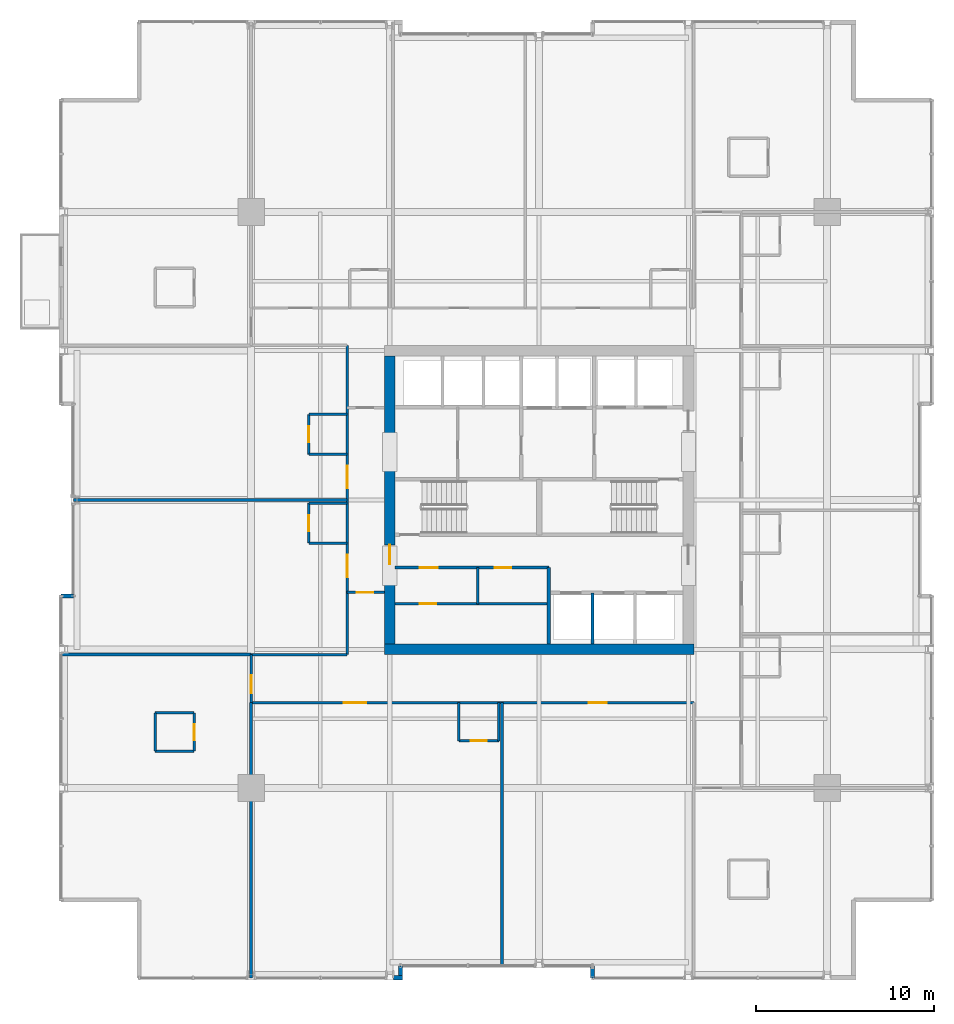
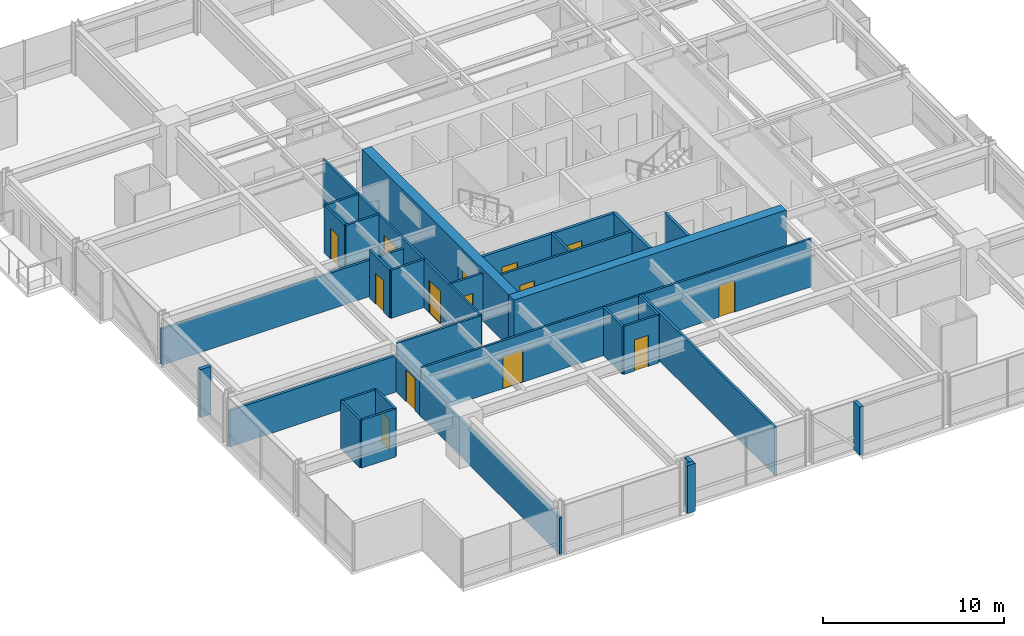
# One storey, part 28 of 34: 33 walls, 14 doors, 14 openings.
"""IFC4 building model written with IfcOpenShell, lengths in metres."""

from ifc_helpers import new_model, si_unit, direction, frame, frame_2d, origin, place, context, subcontext, project, spatial, rectangle, extrude, material, layer, layer_set, type_object, element, fill, save


model = new_model("IFC4")

# Units and contexts
model_context = context("Model", 3, precision=1e-05, world=origin(), true_north=direction((0.0, 1.0)))
body_context = subcontext(model_context, "Body", "Model", "MODEL_VIEW")
ifc_project = project(units=[si_unit("LENGTHUNIT", "METRE"), si_unit("AREAUNIT", "SQUARE_METRE"), si_unit("VOLUMEUNIT", "CUBIC_METRE"), si_unit("PLANEANGLEUNIT", "RADIAN"), si_unit("MASSUNIT", "GRAM", prefix="KILO")], contexts=[model_context])

# Site, building, storey
site_placement = place(None, origin())
site = spatial("IfcSite", under=ifc_project, at=site_placement, CompositionType="ELEMENT")
building_placement = place(site_placement, origin())
building = spatial("IfcBuilding", under=site, at=building_placement, Name="Drelvath Grand Hotel", CompositionType="ELEMENT")
storey_placement = place(building_placement, frame((0.0, 0.0, 102.300048828125)))
storey = spatial("IfcBuildingStorey", under=building, at=storey_placement, Name="L25", CompositionType="ELEMENT", Elevation=102.300048828125)

# Walls
ifc_material_1 = material(Name="Concrete C40/50", Category="concrete")
ifc_layer_1 = layer(ifc_material_1, 0.199951171875)
ifc_layer_set_1 = layer_set([ifc_layer_1], Name="Concrete C40/50")
wall_type_1 = type_object("IfcWallType", Name="Core Hoistway Fire Wall 200", PredefinedType="SOLIDWALL", material=ifc_layer_set_1)
wall_1_placement = place(storey_placement, frame((0.550048828125, 18.89990234375, 0.0), z_axis=(0.0, 0.0, 1.0), x_axis=(0.0, 1.0, 0.0)))
element("IfcWall", 1, at=wall_1_placement, inside=storey, type_object=wall_type_1, Name="L25 Bank 2 West Wall", PredefinedType="SOLIDWALL", context=body_context, shape_type="SweptSolid", body=[
    extrude(rectangle(XDim=4.300048828125, YDim=0.199951171875, at=frame_2d((2.14990234375, 0.0))), origin(), (0.0, 0.0, 1.0), 3.239990234375),
])
ifc_material_2 = material(Name="Gypsum Fireboard Partition")
ifc_layer_2 = layer(ifc_material_2, 0.1650390625)
ifc_layer_set_2 = layer_set([ifc_layer_2], Name="Gypsum Fireboard Partition")
wall_type_2 = type_object("IfcWallType", Name="Core Shaft Partition 165", PredefinedType="PARTITIONING", material=ifc_layer_set_2)
wall_2_placement = place(storey_placement, frame((3.0, 18.89990234375, 0.0), z_axis=(0.0, 0.0, 1.0), x_axis=(0.0, 1.0, 0.0)))
element("IfcWall", 2, at=wall_2_placement, inside=storey, type_object=wall_type_2, Name="L25 Lift PE-4/5 Divider", PredefinedType="PARTITIONING", context=body_context, shape_type="SweptSolid", body=[
    extrude(rectangle(XDim=2.880126953125, YDim=0.1650390625, at=frame_2d((1.43994140625, 0.0))), origin(), (0.0, 0.0, 1.0), 3.239990234375),
])

# Wall, opening, door
ifc_layer_3 = layer(ifc_material_2, 0.135009765625)
ifc_layer_set_3 = layer_set([ifc_layer_3], Name="Gypsum Fireboard Partition")
wall_type_3 = type_object("IfcWallType", Name="Corridor Fire Barrier Wall 135", PredefinedType="PARTITIONING", material=ifc_layer_set_3)
wall_3_placement = place(storey_placement, frame((-10.800048828125, 21.800048828125, 0.0), z_axis=(0.0, 0.0, 1.0), x_axis=(1.0, 0.0, 0.0)))
wall_3 = element("IfcWall", 3, at=wall_3_placement, inside=storey, type_object=wall_type_3, Name="L25 West Foyer South Wall", PredefinedType="PARTITIONING", context=body_context, shape_type="SweptSolid", body=[
    extrude(rectangle(XDim=2.10009765625, YDim=0.135009765625, at=frame_2d((1.050048828125, 0.0))), origin(), (0.0, 0.0, 1.0), 3.239990234375),
])
opening_1_placement = place(wall_3_placement, frame((0.550048828125, 0.0, 0.0)))
opening_1 = element("IfcOpeningElement", 4, at=opening_1_placement, cuts=wall_3, Name="Opening D-T2G2-019", PredefinedType="OPENING", context=body_context, shape_type="SweptSolid", body=[
    extrude(rectangle(XDim=0.919921875, YDim=2.10009765625, at=frame_2d((0.4599609375, 1.050048828125))), frame((0.0, 0.077392578125, 0.0), z_axis=(0.0, -1.0, 0.0), x_axis=(1.0, 0.0, 0.0)), (0.0, 0.0, 1.0), 0.155029296875),
])
ifc_material_3 = material(Name="Painted Steel S275", Category="steel")
door_type_1 = type_object("IfcDoorType", Name="Staff Utility Door 920x2100", OperationType="NOTDEFINED", PredefinedType="DOOR", material=ifc_material_3)
door_1_placement = place(opening_1_placement, origin())
door_1 = element("IfcDoor", 5, at=door_1_placement, inside=storey, type_object=door_type_1, Name="L25 West Linen Closet Door", OperationType="SINGLE_SWING_RIGHT", OverallHeight=2.10009765625, OverallWidth=0.919921875, PredefinedType="DOOR", context=body_context, shape_type="SweptSolid", body=[
    extrude(rectangle(XDim=0.919921875, YDim=2.10009765625, at=frame_2d((0.4599609375, 1.050048828125))), frame((0.0, 0.02490234375, 0.0), z_axis=(0.0, -1.0, 0.0), x_axis=(1.0, 0.0, 0.0)), (0.0, 0.0, 1.0), 0.050048828125),
])
fill(opening_1, door_1)

# Wall
wall_4_placement = place(storey_placement, frame((-16.199951171875, 18.300048828125, 0.0), z_axis=(0.0, 0.0, 1.0), x_axis=(1.0, 0.0, 0.0)))
element("IfcWall", 6, at=wall_4_placement, inside=storey, type_object=wall_type_3, Name="L25 SW Stub North Wall", PredefinedType="PARTITIONING", context=body_context, shape_type="SweptSolid", body=[
    extrude(rectangle(XDim=5.39990234375, YDim=0.135009765625, at=frame_2d((2.699951171875, 0.0))), origin(), (0.0, 0.0, 1.0), 3.239990234375),
])

# Wall, openings, doors
wall_5_placement = place(storey_placement, frame((-16.199951171875, 15.60009765625, 0.0), z_axis=(0.0, 0.0, 1.0), x_axis=(1.0, 0.0, 0.0)))
wall_5 = element("IfcWall", 7, at=wall_5_placement, inside=storey, type_object=wall_type_3, Name="L25 South Stub Corridor Wall", PredefinedType="PARTITIONING", context=body_context, shape_type="SweptSolid", body=[
    extrude(rectangle(XDim=24.89990234375, YDim=0.135009765625, at=frame_2d((12.449951171875, 0.0))), origin(), (0.0, 0.0, 1.0), 3.239990234375),
])
opening_2_placement = place(wall_5_placement, frame((5.2099609375, 0.0, 0.0)))
opening_2 = element("IfcOpeningElement", 8, at=opening_2_placement, cuts=wall_5, Name="Opening D-T2G2-030", PredefinedType="OPENING", context=body_context, shape_type="SweptSolid", body=[
    extrude(rectangle(XDim=1.260009765625, YDim=2.199951171875, at=frame_2d((0.6298828125, 1.10009765625))), frame((0.0, 0.077392578125, 0.0), z_axis=(0.0, -1.0, 0.0), x_axis=(1.0, 0.0, 0.0)), (0.0, 0.0, 1.0), 0.155029296875),
])
opening_3_placement = place(wall_5_placement, frame((18.9951171875, 0.0, 0.0)))
opening_3 = element("IfcOpeningElement", 9, at=opening_3_placement, cuts=wall_5, Name="Opening D-T2G2-031", PredefinedType="OPENING", context=body_context, shape_type="SweptSolid", body=[
    extrude(rectangle(XDim=1.02001953125, YDim=2.14990234375, at=frame_2d((0.510009765625, 1.074951171875))), frame((0.0, 0.077392578125, 0.0), z_axis=(0.0, -1.0, 0.0), x_axis=(1.0, 0.0, 0.0)), (0.0, 0.0, 1.0), 0.155029296875),
])
ifc_material_4 = material(Name="Hardwood Walnut Timber", Category="wood")
door_type_2 = type_object("IfcDoorType", Name="Amenity Meeting Fire Door 1020x2150", OperationType="NOTDEFINED", PredefinedType="DOOR", material=ifc_material_4)
door_2_placement = place(opening_3_placement, origin())
door_2 = element("IfcDoor", 10, at=door_2_placement, inside=storey, type_object=door_type_2, Name="L25 Wellness Yoga Studio Entry Door", OperationType="SINGLE_SWING_RIGHT", OverallHeight=2.14990234375, OverallWidth=1.02001953125, PredefinedType="DOOR", context=body_context, shape_type="SweptSolid", body=[
    extrude(rectangle(XDim=1.02001953125, YDim=2.14990234375, at=frame_2d((0.510009765625, 1.074951171875))), frame((0.0, 0.02490234375, 0.0), z_axis=(0.0, -1.0, 0.0), x_axis=(1.0, 0.0, 0.0)), (0.0, 0.0, 1.0), 0.050048828125),
])
fill(opening_3, door_2)
door_type_3 = type_object("IfcDoorType", Name="Suite Entrance Fire Door 1260x2200", OperationType="NOTDEFINED", PredefinedType="DOOR", material=ifc_material_4)
door_3_placement = place(opening_2_placement, origin())
door_3 = element("IfcDoor", 11, at=door_3_placement, inside=storey, type_object=door_type_3, Name="L25 Corner Suite Entry Door", OperationType="SINGLE_SWING_LEFT", OverallHeight=2.199951171875, OverallWidth=1.260009765625, PredefinedType="DOOR", context=body_context, shape_type="SweptSolid", body=[
    extrude(rectangle(XDim=1.260009765625, YDim=2.199951171875, at=frame_2d((0.6298828125, 1.10009765625))), frame((0.0, 0.02490234375, 0.0), z_axis=(0.0, -1.0, 0.0), x_axis=(1.0, 0.0, 0.0)), (0.0, 0.0, 1.0), 0.050048828125),
])
fill(opening_2, door_3)

wall_6_placement = place(storey_placement, frame((-10.800048828125, 18.300048828125, 0.0), z_axis=(0.0, 0.0, 1.0), x_axis=(0.0, 1.0, 0.0)))
wall_6 = element("IfcWall", 12, at=wall_6_placement, inside=storey, type_object=wall_type_3, Name="L25 West Spine Wall", PredefinedType="PARTITIONING", context=body_context, shape_type="SweptSolid", body=[
    extrude(rectangle(XDim=17.39990234375, YDim=0.135009765625, at=frame_2d((8.699951171875, 0.0))), origin(), (0.0, 0.0, 1.0), 3.239990234375),
])
opening_4_placement = place(wall_6_placement, frame((4.35498046875, 0.0, 0.0)))
opening_4 = element("IfcOpeningElement", 13, at=opening_4_placement, cuts=wall_6, Name="Opening D-T2G2-046", PredefinedType="OPENING", context=body_context, shape_type="SweptSolid", body=[
    extrude(rectangle(XDim=1.260009765625, YDim=2.199951171875, at=frame_2d((0.6298828125, 1.10009765625))), frame((0.0, 0.077392578125, 0.0), z_axis=(0.0, -1.0, 0.0), x_axis=(1.0, 0.0, 0.0)), (0.0, 0.0, 1.0), 0.155029296875),
])
opening_5_placement = place(wall_6_placement, frame((9.35498046875, 0.0, 0.0)))
opening_5 = element("IfcOpeningElement", 14, at=opening_5_placement, cuts=wall_6, Name="Opening D-T2G2-048", PredefinedType="OPENING", context=body_context, shape_type="SweptSolid", body=[
    extrude(rectangle(XDim=1.260009765625, YDim=2.199951171875, at=frame_2d((0.6298828125, 1.10009765625))), frame((0.0, 0.077392578125, 0.0), z_axis=(0.0, -1.0, 0.0), x_axis=(1.0, 0.0, 0.0)), (0.0, 0.0, 1.0), 0.155029296875),
])
door_4_placement = place(opening_4_placement, origin())
door_4 = element("IfcDoor", 15, at=door_4_placement, inside=storey, type_object=door_type_3, Name="L25 Corner Suite Entry Door", OperationType="SINGLE_SWING_LEFT", OverallHeight=2.199951171875, OverallWidth=1.260009765625, PredefinedType="DOOR", context=body_context, shape_type="SweptSolid", body=[
    extrude(rectangle(XDim=1.260009765625, YDim=2.199951171875, at=frame_2d((0.6298828125, 1.10009765625))), frame((0.0, 0.02490234375, 0.0), z_axis=(0.0, -1.0, 0.0), x_axis=(1.0, 0.0, 0.0)), (0.0, 0.0, 1.0), 0.050048828125),
])
fill(opening_4, door_4)
door_5_placement = place(opening_5_placement, origin())
door_5 = element("IfcDoor", 16, at=door_5_placement, inside=storey, type_object=door_type_3, Name="L25 Corner Suite Entry Door", OperationType="SINGLE_SWING_LEFT", OverallHeight=2.199951171875, OverallWidth=1.260009765625, PredefinedType="DOOR", context=body_context, shape_type="SweptSolid", body=[
    extrude(rectangle(XDim=1.260009765625, YDim=2.199951171875, at=frame_2d((0.6298828125, 1.10009765625))), frame((0.0, 0.02490234375, 0.0), z_axis=(0.0, -1.0, 0.0), x_axis=(1.0, 0.0, 0.0)), (0.0, 0.0, 1.0), 0.050048828125),
])
fill(opening_5, door_5)

# Wall, opening, door
wall_7_placement = place(storey_placement, frame((-16.199951171875, 15.60009765625, 0.0), z_axis=(0.0, 0.0, 1.0), x_axis=(0.0, 1.0, 0.0)))
wall_7 = element("IfcWall", 17, at=wall_7_placement, inside=storey, type_object=wall_type_3, Name="L25 South Stub West End", PredefinedType="PARTITIONING", context=body_context, shape_type="SweptSolid", body=[
    extrude(rectangle(XDim=2.699951171875, YDim=0.135009765625, at=frame_2d((1.35009765625, 0.0))), origin(), (0.0, 0.0, 1.0), 2.45166015625),
])
opening_6_placement = place(wall_7_placement, frame((0.52001953125, 0.0, 0.0)))
opening_6 = element("IfcOpeningElement", 18, at=opening_6_placement, cuts=wall_7, Name="Opening D-T2G2-022", PredefinedType="OPENING", context=body_context, shape_type="SweptSolid", body=[
    extrude(rectangle(XDim=1.02001953125, YDim=2.14990234375, at=frame_2d((0.510009765625, 1.074951171875))), frame((0.0, 0.077392578125, 0.0), z_axis=(0.0, -1.0, 0.0), x_axis=(1.0, 0.0, 0.0)), (0.0, 0.0, 1.0), 0.155029296875),
])
door_6_placement = place(opening_6_placement, origin())
door_6 = element("IfcDoor", 19, at=door_6_placement, inside=storey, type_object=door_type_2, Name="L25 Corner Suite Entry Door", OperationType="SINGLE_SWING_LEFT", OverallHeight=2.14990234375, OverallWidth=1.02001953125, PredefinedType="DOOR", context=body_context, shape_type="SweptSolid", body=[
    extrude(rectangle(XDim=1.02001953125, YDim=2.14990234375, at=frame_2d((0.510009765625, 1.074951171875))), frame((0.0, 0.02490234375, 0.0), z_axis=(0.0, -1.0, 0.0), x_axis=(1.0, 0.0, 0.0)), (0.0, 0.0, 1.0), 0.050048828125),
])
fill(opening_6, door_6)

ifc_material_5 = material(Name="Moisture-Resistant Gypsum Board")
ifc_layer_4 = layer(ifc_material_5, 0.139892578125)
ifc_layer_set_4 = layer_set([ifc_layer_4], Name="Moisture-Resistant Gypsum Board")
wall_type_4 = type_object("IfcWallType", Name="En-Suite Plumbing Wall 140", PredefinedType="PLUMBINGWALL", material=ifc_layer_set_4)
wall_8_placement = place(storey_placement, frame((-8.10009765625, 21.159912109375, 0.0), z_axis=(0.0, 0.0, 1.0), x_axis=(1.0, 0.0, 0.0)))
wall_8 = element("IfcWall", 20, at=wall_8_placement, inside=storey, type_object=wall_type_4, Name="L25 Reclaimed Horizontal Wall", PredefinedType="PLUMBINGWALL", context=body_context, shape_type="SweptSolid", body=[
    extrude(rectangle(XDim=8.650146484375, YDim=0.139892578125, at=frame_2d((4.3251953125, 0.0))), origin(), (0.0, 0.0, 1.0), 3.239990234375),
])
opening_7_placement = place(wall_8_placement, frame((1.39990234375, 0.0, 0.0)))
opening_7 = element("IfcOpeningElement", 21, at=opening_7_placement, cuts=wall_8, Name="Opening D-T2G2-018", PredefinedType="OPENING", context=body_context, shape_type="SweptSolid", body=[
    extrude(rectangle(XDim=0.919921875, YDim=2.10009765625, at=frame_2d((0.4599609375, 1.050048828125))), frame((0.0, 0.079833984375, 0.0), z_axis=(0.0, -1.0, 0.0), x_axis=(1.0, 0.0, 0.0)), (0.0, 0.0, 1.0), 0.159912109375),
])
door_7_placement = place(opening_7_placement, origin())
door_7 = element("IfcDoor", 22, at=door_7_placement, inside=storey, type_object=door_type_1, Name="L25 Housekeeping Inner Door", OperationType="SINGLE_SWING_LEFT", OverallHeight=2.10009765625, OverallWidth=0.919921875, PredefinedType="DOOR", context=body_context, shape_type="SweptSolid", body=[
    extrude(rectangle(XDim=0.919921875, YDim=2.10009765625, at=frame_2d((0.4599609375, 1.050048828125))), frame((0.0, 0.02490234375, 0.0), z_axis=(0.0, -1.0, 0.0), x_axis=(1.0, 0.0, 0.0)), (0.0, 0.0, 1.0), 0.050048828125),
])
fill(opening_7, door_7)

# Walls
wall_9_placement = place(storey_placement, frame((-3.43994140625, 21.159912109375, 0.0), z_axis=(0.0, 0.0, 1.0), x_axis=(0.0, 1.0, 0.0)))
element("IfcWall", 23, at=wall_9_placement, inside=storey, type_object=wall_type_4, Name="L25 Staff WC Wall", PredefinedType="PLUMBINGWALL", context=body_context, shape_type="SweptSolid", body=[
    extrude(rectangle(XDim=2.0400390625, YDim=0.139892578125, at=frame_2d((1.02001953125, 0.0))), origin(), (0.0, 0.0, 1.0), 3.239990234375),
])
for number, where, z_axis, x_axis, name in (
    (24, (-21.60009765625, 12.8798828125, 0.0), (0.0, 0.0, 1.0), (1.0, 0.0, 0.0), "L25 Corner En-Suite South"),
    (25, (-21.60009765625, 15.030029296875, 0.0), (0.0, 0.0, 1.0), (1.0, 0.0, 0.0), "L25 Corner En-Suite North"),
):
    element("IfcWall", number, at=place(storey_placement, frame(where, z_axis=z_axis, x_axis=x_axis)), inside=storey, type_object=wall_type_4, Name=name, PredefinedType="PLUMBINGWALL", context=body_context, shape_type="SweptSolid", body=[
        extrude(rectangle(XDim=2.2001953125, YDim=0.139892578125, at=frame_2d((1.10009765625, 0.0))), origin(), (0.0, 0.0, 1.0), 3.239990234375),
    ])
wall_10_placement = place(storey_placement, frame((-21.60009765625, 12.8798828125, 0.0), z_axis=(0.0, 0.0, 1.0), x_axis=(0.0, 1.0, 0.0)))
element("IfcWall", 26, at=wall_10_placement, inside=storey, type_object=wall_type_4, Name="L25 Corner En-Suite West", PredefinedType="PLUMBINGWALL", context=body_context, shape_type="SweptSolid", body=[
    extrude(rectangle(XDim=2.150146484375, YDim=0.139892578125, at=frame_2d((1.0751953125, 0.0))), origin(), (0.0, 0.0, 1.0), 3.239990234375),
])

# Wall, opening, door
wall_11_placement = place(storey_placement, frame((-19.39990234375, 12.8798828125, 0.0), z_axis=(0.0, 0.0, 1.0), x_axis=(0.0, 1.0, 0.0)))
wall_11 = element("IfcWall", 27, at=wall_11_placement, inside=storey, type_object=wall_type_4, Name="L25 Corner En-Suite East", PredefinedType="PLUMBINGWALL", context=body_context, shape_type="SweptSolid", body=[
    extrude(rectangle(XDim=2.150146484375, YDim=0.139892578125, at=frame_2d((1.0751953125, 0.0))), origin(), (0.0, 0.0, 1.0), 3.239990234375),
])
opening_8_placement = place(wall_11_placement, frame((0.6201171875, 0.0, 0.0)))
opening_8 = element("IfcOpeningElement", 28, at=opening_8_placement, cuts=wall_11, Name="Opening D-T2G2-021", PredefinedType="OPENING", context=body_context, shape_type="SweptSolid", body=[
    extrude(rectangle(XDim=0.8798828125, YDim=2.10009765625, at=frame_2d((0.43994140625, 1.050048828125))), frame((0.0, 0.079833984375, 0.0), z_axis=(0.0, -1.0, 0.0), x_axis=(1.0, 0.0, 0.0)), (0.0, 0.0, 1.0), 0.159912109375),
])
door_type_4 = type_object("IfcDoorType", Name="En-Suite Bathroom Door 880x2100", OperationType="NOTDEFINED", PredefinedType="DOOR", material=ifc_material_4)
door_8_placement = place(opening_8_placement, origin())
door_8 = element("IfcDoor", 29, at=door_8_placement, inside=storey, type_object=door_type_4, Name="L25 Corner En-Suite Door", OperationType="SINGLE_SWING_RIGHT", OverallHeight=2.10009765625, OverallWidth=0.8798828125, PredefinedType="DOOR", context=body_context, shape_type="SweptSolid", body=[
    extrude(rectangle(XDim=0.8798828125, YDim=2.10009765625, at=frame_2d((0.43994140625, 1.050048828125))), frame((0.0, 0.02490234375, 0.0), z_axis=(0.0, -1.0, 0.0), x_axis=(1.0, 0.0, 0.0)), (0.0, 0.0, 1.0), 0.050048828125),
])
fill(opening_8, door_8)

# Walls
for number, where, z_axis, x_axis, name in (
    (30, (-4.52001953125, 15.60009765625, 0.0), (0.0, 0.0, 1.0), (0.0, -1.0, 0.0), "L25 En-Suite Left Wall"),
    (31, (-2.27001953125, 15.60009765625, 0.0), (0.0, 0.0, 1.0), (0.0, -1.0, 0.0), "L25 En-Suite Right Wall"),
):
    element("IfcWall", number, at=place(storey_placement, frame(where, z_axis=z_axis, x_axis=x_axis)), inside=storey, type_object=wall_type_4, Name=name, PredefinedType="PLUMBINGWALL", context=body_context, shape_type="SweptSolid", body=[
        extrude(rectangle(XDim=2.150146484375, YDim=0.139892578125, at=frame_2d((1.0751953125, 0.0))), origin(), (0.0, 0.0, 1.0), 3.239990234375),
    ])

# Wall, opening, door
wall_12_placement = place(storey_placement, frame((-4.52001953125, 13.449951171875, 0.0), z_axis=(0.0, 0.0, 1.0), x_axis=(1.0, 0.0, 0.0)))
wall_12 = element("IfcWall", 32, at=wall_12_placement, inside=storey, type_object=wall_type_4, Name="L25 En-Suite Front Wall", PredefinedType="PLUMBINGWALL", context=body_context, shape_type="SweptSolid", body=[
    extrude(rectangle(XDim=2.25, YDim=0.139892578125, at=frame_2d((1.125, 0.0))), origin(), (0.0, 0.0, 1.0), 3.239990234375),
])
opening_9_placement = place(wall_12_placement, frame((0.68505859375, 0.0, 0.0)))
opening_9 = element("IfcOpeningElement", 33, at=opening_9_placement, cuts=wall_12, Name="Opening D-T2G2-029", PredefinedType="OPENING", context=body_context, shape_type="SweptSolid", body=[
    extrude(rectangle(XDim=0.8798828125, YDim=2.10009765625, at=frame_2d((0.43994140625, 1.050048828125))), frame((0.0, 0.079833984375, 0.0), z_axis=(0.0, -1.0, 0.0), x_axis=(1.0, 0.0, 0.0)), (0.0, 0.0, 1.0), 0.159912109375),
])
door_9_placement = place(opening_9_placement, origin())
door_9 = element("IfcDoor", 34, at=door_9_placement, inside=storey, type_object=door_type_4, Name="L25 En-Suite Bathroom Door", OperationType="SINGLE_SWING_RIGHT", OverallHeight=2.10009765625, OverallWidth=0.8798828125, PredefinedType="DOOR", context=body_context, shape_type="SweptSolid", body=[
    extrude(rectangle(XDim=0.8798828125, YDim=2.10009765625, at=frame_2d((0.43994140625, 1.050048828125))), frame((0.0, 0.02490234375, 0.0), z_axis=(0.0, -1.0, 0.0), x_axis=(1.0, 0.0, 0.0)), (0.0, 0.0, 1.0), 0.050048828125),
])
fill(opening_9, door_9)

# Walls
wall_13_placement = place(storey_placement, frame((-10.800048828125, 24.570068359375, 0.0), z_axis=(0.0, 0.0, 1.0), x_axis=(-1.0, 0.0, 0.0)))
element("IfcWall", 35, at=wall_13_placement, inside=storey, type_object=wall_type_4, Name="L25 En-Suite Left Wall", PredefinedType="PLUMBINGWALL", context=body_context, shape_type="SweptSolid", body=[
    extrude(rectangle(XDim=2.14990234375, YDim=0.139892578125, at=frame_2d((1.074951171875, 0.0))), origin(), (0.0, 0.0, 1.0), 3.239990234375),
])
wall_14_placement = place(storey_placement, frame((-10.800048828125, 26.820068359375, 0.0), z_axis=(0.0, 0.0, 1.0), x_axis=(-1.0, 0.0, 0.0)))
element("IfcWall", 36, at=wall_14_placement, inside=storey, type_object=wall_type_4, Name="L25 En-Suite Right Wall", PredefinedType="PLUMBINGWALL", context=body_context, shape_type="SweptSolid", body=[
    extrude(rectangle(XDim=2.14990234375, YDim=0.139892578125, at=frame_2d((1.074951171875, 0.0))), origin(), (0.0, 0.0, 1.0), 2.617431640625),
])

# Wall, opening, door
wall_15_placement = place(storey_placement, frame((-12.949951171875, 24.570068359375, 0.0), z_axis=(0.0, 0.0, 1.0), x_axis=(0.0, 1.0, 0.0)))
wall_15 = element("IfcWall", 37, at=wall_15_placement, inside=storey, type_object=wall_type_4, Name="L25 En-Suite Front Wall", PredefinedType="PLUMBINGWALL", context=body_context, shape_type="SweptSolid", body=[
    extrude(rectangle(XDim=2.25, YDim=0.139892578125, at=frame_2d((1.125, 0.0))), origin(), (0.0, 0.0, 1.0), 3.239990234375),
])
opening_10_placement = place(wall_15_placement, frame((0.68505859375, 0.0, 0.0)))
opening_10 = element("IfcOpeningElement", 38, at=opening_10_placement, cuts=wall_15, Name="Opening D-T2G2-045", PredefinedType="OPENING", context=body_context, shape_type="SweptSolid", body=[
    extrude(rectangle(XDim=0.8798828125, YDim=2.10009765625, at=frame_2d((0.43994140625, 1.050048828125))), frame((0.0, 0.079833984375, 0.0), z_axis=(0.0, -1.0, 0.0), x_axis=(1.0, 0.0, 0.0)), (0.0, 0.0, 1.0), 0.159912109375),
])
door_10_placement = place(opening_10_placement, origin())
door_10 = element("IfcDoor", 39, at=door_10_placement, inside=storey, type_object=door_type_4, Name="L25 En-Suite Bathroom Door", OperationType="SINGLE_SWING_RIGHT", OverallHeight=2.10009765625, OverallWidth=0.8798828125, PredefinedType="DOOR", context=body_context, shape_type="SweptSolid", body=[
    extrude(rectangle(XDim=0.8798828125, YDim=2.10009765625, at=frame_2d((0.43994140625, 1.050048828125))), frame((0.0, 0.02490234375, 0.0), z_axis=(0.0, -1.0, 0.0), x_axis=(1.0, 0.0, 0.0)), (0.0, 0.0, 1.0), 0.050048828125),
])
fill(opening_10, door_10)

# Walls
for number, where, z_axis, x_axis, name in (
    (40, (-10.800048828125, 29.570068359375, 0.0), (0.0, 0.0, 1.0), (-1.0, 0.0, 0.0), "L25 En-Suite Left Wall"),
    (41, (-10.800048828125, 31.820068359375, 0.0), (0.0, 0.0, 1.0), (-1.0, 0.0, 0.0), "L25 En-Suite Right Wall"),
):
    element("IfcWall", number, at=place(storey_placement, frame(where, z_axis=z_axis, x_axis=x_axis)), inside=storey, type_object=wall_type_4, Name=name, PredefinedType="PLUMBINGWALL", context=body_context, shape_type="SweptSolid", body=[
        extrude(rectangle(XDim=2.14990234375, YDim=0.139892578125, at=frame_2d((1.074951171875, 0.0))), origin(), (0.0, 0.0, 1.0), 3.239990234375),
    ])

# Wall, opening, door
wall_16_placement = place(storey_placement, frame((-12.949951171875, 29.570068359375, 0.0), z_axis=(0.0, 0.0, 1.0), x_axis=(0.0, 1.0, 0.0)))
wall_16 = element("IfcWall", 42, at=wall_16_placement, inside=storey, type_object=wall_type_4, Name="L25 En-Suite Front Wall", PredefinedType="PLUMBINGWALL", context=body_context, shape_type="SweptSolid", body=[
    extrude(rectangle(XDim=2.25, YDim=0.139892578125, at=frame_2d((1.125, 0.0))), origin(), (0.0, 0.0, 1.0), 3.239990234375),
])
opening_11_placement = place(wall_16_placement, frame((0.68505859375, 0.0, 0.0)))
opening_11 = element("IfcOpeningElement", 43, at=opening_11_placement, cuts=wall_16, Name="Opening D-T2G2-047", PredefinedType="OPENING", context=body_context, shape_type="SweptSolid", body=[
    extrude(rectangle(XDim=0.8798828125, YDim=2.10009765625, at=frame_2d((0.43994140625, 1.050048828125))), frame((0.0, 0.079833984375, 0.0), z_axis=(0.0, -1.0, 0.0), x_axis=(1.0, 0.0, 0.0)), (0.0, 0.0, 1.0), 0.159912109375),
])
door_11_placement = place(opening_11_placement, origin())
door_11 = element("IfcDoor", 44, at=door_11_placement, inside=storey, type_object=door_type_4, Name="L25 En-Suite Bathroom Door", OperationType="SINGLE_SWING_RIGHT", OverallHeight=2.10009765625, OverallWidth=0.8798828125, PredefinedType="DOOR", context=body_context, shape_type="SweptSolid", body=[
    extrude(rectangle(XDim=0.8798828125, YDim=2.10009765625, at=frame_2d((0.43994140625, 1.050048828125))), frame((0.0, 0.02490234375, 0.0), z_axis=(0.0, -1.0, 0.0), x_axis=(1.0, 0.0, 0.0)), (0.0, 0.0, 1.0), 0.050048828125),
])
fill(opening_11, door_11)

# Wall, openings, doors
ifc_layer_5 = layer(ifc_material_2, 0.179931640625)
ifc_layer_set_5 = layer_set([ifc_layer_5], Name="Gypsum Fireboard Partition")
wall_type_5 = type_object("IfcWallType", Name="FSAE Smoke Lobby Fire Wall 180", PredefinedType="SOLIDWALL", material=ifc_layer_set_5)
wall_17_placement = place(storey_placement, frame((-8.10009765625, 23.199951171875, 0.0), z_axis=(0.0, 0.0, 1.0), x_axis=(1.0, 0.0, 0.0)))
wall_17 = element("IfcWall", 45, at=wall_17_placement, inside=storey, type_object=wall_type_5, Name="L25 Reclaimed Core Room Wall", PredefinedType="SOLIDWALL", context=body_context, shape_type="SweptSolid", body=[
    extrude(rectangle(XDim=8.650146484375, YDim=0.179931640625, at=frame_2d((4.3251953125, 0.0))), origin(), (0.0, 0.0, 1.0), 3.239990234375),
])
opening_12_placement = place(wall_17_placement, frame((1.39990234375, 0.0, 0.0)))
opening_12 = element("IfcOpeningElement", 46, at=opening_12_placement, cuts=wall_17, Name="Opening D-T2G2-016", PredefinedType="OPENING", context=body_context, shape_type="SweptSolid", body=[
    extrude(rectangle(XDim=1.0, YDim=2.10009765625, at=frame_2d((0.5, 1.050048828125))), frame((0.0, 0.099853515625, 0.0), z_axis=(0.0, -1.0, 0.0), x_axis=(1.0, 0.0, 0.0)), (0.0, 0.0, 1.0), 0.199951171875),
])
opening_13_placement = place(wall_17_placement, frame((5.60009765625, 0.0, 0.0)))
opening_13 = element("IfcOpeningElement", 47, at=opening_13_placement, cuts=wall_17, Name="Opening D-T2G2-017", PredefinedType="OPENING", context=body_context, shape_type="SweptSolid", body=[
    extrude(rectangle(XDim=0.919921875, YDim=2.10009765625, at=frame_2d((0.4599609375, 1.050048828125))), frame((0.0, 0.099853515625, 0.0), z_axis=(0.0, -1.0, 0.0), x_axis=(1.0, 0.0, 0.0)), (0.0, 0.0, 1.0), 0.199951171875),
])
door_type_5 = type_object("IfcDoorType", Name="Core Service Fire Door 1000x2100", OperationType="NOTDEFINED", PredefinedType="DOOR", material=ifc_material_3)
door_12_placement = place(opening_12_placement, origin())
door_12 = element("IfcDoor", 48, at=door_12_placement, inside=storey, type_object=door_type_5, Name="L25 Valet Room Door", OperationType="SINGLE_SWING_LEFT", OverallHeight=2.10009765625, OverallWidth=1.0, PredefinedType="DOOR", context=body_context, shape_type="SweptSolid", body=[
    extrude(rectangle(XDim=1.0, YDim=2.10009765625, at=frame_2d((0.5, 1.050048828125))), frame((0.0, 0.02490234375, 0.0), z_axis=(0.0, -1.0, 0.0), x_axis=(1.0, 0.0, 0.0)), (0.0, 0.0, 1.0), 0.050048828125),
])
fill(opening_12, door_12)
door_13_placement = place(opening_13_placement, origin())
door_13 = element("IfcDoor", 49, at=door_13_placement, inside=storey, type_object=door_type_5, Name="L25 Staff WC Door", OperationType="SINGLE_SWING_RIGHT", OverallHeight=2.10009765625, OverallWidth=0.919921875, PredefinedType="DOOR", context=body_context, shape_type="SweptSolid", body=[
    extrude(rectangle(XDim=0.919921875, YDim=2.10009765625, at=frame_2d((0.4599609375, 1.050048828125))), frame((0.0, 0.02490234375, 0.0), z_axis=(0.0, -1.0, 0.0), x_axis=(1.0, 0.0, 0.0)), (0.0, 0.0, 1.0), 0.050048828125),
])
fill(opening_13, door_13)

# Walls
ifc_material_6 = material(Name="Gypsum Acoustic Partition")
ifc_layer_6 = layer(ifc_material_6, 0.14990234375)
ifc_layer_set_6 = layer_set([ifc_layer_6], Name="Gypsum Acoustic Partition")
wall_type_6 = type_object("IfcWallType", Name="Guestroom Demising Wall 150", PredefinedType="PARTITIONING", material=ifc_layer_set_6)
wall_18_placement = place(storey_placement, frame((-2.090087890625, 0.800048828125, 0.0), z_axis=(0.0, 0.0, 1.0), x_axis=(0.0, 1.0, 0.0)))
element("IfcWall", 50, at=wall_18_placement, inside=storey, type_object=wall_type_6, Name="L25 South Demising 1", PredefinedType="PARTITIONING", context=body_context, shape_type="SweptSolid", body=[
    extrude(rectangle(XDim=14.800048828125, YDim=0.14990234375, at=frame_2d((7.39990234375, 0.0))), origin(), (0.0, 0.0, 1.0), 3.239990234375),
])
wall_19_placement = place(storey_placement, frame((-26.199951171875, 27.0, 0.0), z_axis=(0.0, 0.0, 1.0), x_axis=(1.0, 0.0, 0.0)))
element("IfcWall", 51, at=wall_19_placement, inside=storey, type_object=wall_type_6, Name="L25 West Suite Demising Wall", PredefinedType="PARTITIONING", context=body_context, shape_type="SweptSolid", body=[
    extrude(rectangle(XDim=15.39990234375, YDim=0.14990234375, at=frame_2d((7.699951171875, 0.0))), origin(), (0.0, 0.0, 1.0), 2.45166015625),
])
ifc_material_7 = material(Name="Concrete f'c 70 MPa", Category="concrete")
ifc_layer_7 = layer(ifc_material_7, 0.60009765625)
ifc_layer_set_7 = layer_set([ifc_layer_7], Name="Concrete f'c 70 MPa")
wall_type_7 = type_object("IfcWallType", Name="Lower Core RC Shear Wall 600", PredefinedType="SHEAR", material=ifc_layer_set_7)
wall_20_placement = place(storey_placement, frame((8.699951171875, 18.60009765625, 0.0), z_axis=(0.0, 0.0, 1.0), x_axis=(-1.0, 0.0, 0.0)))
element("IfcWall", 52, at=wall_20_placement, inside=storey, type_object=wall_type_7, Name="L25 Central Core Shear Wall S", PredefinedType="SHEAR", context=body_context, shape_type="SweptSolid", body=[
    extrude(rectangle(XDim=17.39990234375, YDim=0.60009765625, at=frame_2d((8.699951171875, 0.0))), origin(), (0.0, 0.0, 1.0), 3.5),
])

# Wall, opening, door
wall_21_placement = place(storey_placement, frame((-8.39990234375, 18.89990234375, 0.0), z_axis=(0.0, 0.0, 1.0), x_axis=(0.0, 1.0, 0.0)))
wall_21 = element("IfcWall", 53, at=wall_21_placement, inside=storey, type_object=wall_type_7, Name="L25 Central Core Shear Wall W", PredefinedType="SHEAR", context=body_context, shape_type="SweptSolid", body=[
    extrude(rectangle(XDim=16.2001953125, YDim=0.60009765625, at=frame_2d((8.10009765625, 0.0))), origin(), (0.0, 0.0, 1.0), 3.5),
])
opening_14_placement = place(wall_21_placement, frame((4.5, 0.0, 0.0)))
opening_14 = element("IfcOpeningElement", 54, at=opening_14_placement, cuts=wall_21, Name="Opening D-T2G2-014", PredefinedType="OPENING", context=body_context, shape_type="SweptSolid", body=[
    extrude(rectangle(XDim=1.080078125, YDim=2.0400390625, at=frame_2d((0.5400390625, 1.02001953125))), frame((0.0, 0.31005859375, 0.0), z_axis=(0.0, -1.0, 0.0), x_axis=(1.0, 0.0, 0.0)), (0.0, 0.0, 1.0), 0.6201171875),
])
door_type_6 = type_object("IfcDoorType", Name="Core Corridor Fire Door 1080x2100", OperationType="NOTDEFINED", PredefinedType="DOOR", material=ifc_material_3)
door_14_placement = place(opening_14_placement, origin())
door_14 = element("IfcDoor", 55, at=door_14_placement, inside=storey, type_object=door_type_6, Name="L25 Mid-Rise Lobby West Door", OperationType="SINGLE_SWING_LEFT", OverallHeight=2.0400390625, OverallWidth=1.080078125, PredefinedType="DOOR", context=body_context, shape_type="SweptSolid", body=[
    extrude(rectangle(XDim=1.080078125, YDim=2.0400390625, at=frame_2d((0.5400390625, 1.02001953125))), frame((0.0, 0.02490234375, 0.0), z_axis=(0.0, -1.0, 0.0), x_axis=(1.0, 0.0, 0.0)), (0.0, 0.0, 1.0), 0.050048828125),
])
fill(opening_14, door_14)

# Walls
ifc_layer_8 = layer(ifc_material_6, 0.1650390625)
ifc_layer_set_8 = layer_set([ifc_layer_8], Name="Gypsum Acoustic Partition")
wall_type_8 = type_object("IfcWallType", Name="Suite Demising Wall 165", PredefinedType="PARTITIONING", material=ifc_layer_set_8)
wall_22_placement = place(storey_placement, frame((-16.199951171875, 0.1201171875, 0.0), z_axis=(0.0, 0.0, 1.0), x_axis=(0.0, 1.0, 0.0)))
element("IfcWall", 56, at=wall_22_placement, inside=storey, type_object=wall_type_8, Name="L25 SW Suite East Wall", PredefinedType="PARTITIONING", context=body_context, shape_type="SweptSolid", body=[
    extrude(rectangle(XDim=15.47998046875, YDim=0.1650390625, at=frame_2d((7.739990234375, 0.0))), origin(), (0.0, 0.0, 1.0), 2.45166015625),
])
wall_23_placement = place(storey_placement, frame((-26.8798828125, 18.300048828125, 0.0), z_axis=(0.0, 0.0, 1.0), x_axis=(1.0, 0.0, 0.0)))
element("IfcWall", 57, at=wall_23_placement, inside=storey, type_object=wall_type_8, Name="L25 SW Suite North Wall", PredefinedType="PARTITIONING", context=body_context, shape_type="SweptSolid", body=[
    extrude(rectangle(XDim=10.679931640625, YDim=0.1650390625, at=frame_2d((5.33984375, 0.0))), origin(), (0.0, 0.0, 1.0), 2.45166015625),
])
ifc_material_8 = material(Name="Pale-Metal Insulated Aluminium Spandrel Assembly", Category="aluminium")
ifc_layer_9 = layer(ifc_material_8, 0.239990234375)
ifc_layer_set_9 = layer_set([ifc_layer_9], Name="Pale-Metal Insulated Aluminium Spandrel Assembly")
wall_type_9 = type_object("IfcWallType", Name="Tower Insulated Metal Spandrel Closure Wall 240", PredefinedType="STANDARD", material=ifc_layer_set_9)
wall_24_placement = place(storey_placement, frame((-7.679931640625, 0.1201171875, 0.0), z_axis=(0.0, 0.0, 1.0), x_axis=(-1.0, 0.0, 0.0)))
element("IfcWall", 58, at=wall_24_placement, inside=storey, type_object=wall_type_9, Name="L25 Corner Pier Spandrel Wall SW3", PredefinedType="STANDARD", context=body_context, shape_type="SweptSolid", body=[
    extrude(rectangle(XDim=0.50048828125, YDim=0.239990234375, at=frame_2d((0.250244140625, 0.0))), origin(), (0.0, 0.0, 1.0), 3.239990234375),
])
for number, where, z_axis, x_axis, name in (
    (59, (-26.8798828125, 21.60009765625, 0.0), (0.0, 0.0, 1.0), (1.0, 0.0, 0.0), "L25 Notched Corner Return Spandrel Wall RW1"),
    (60, (3.0, 0.1201171875, 0.0), (0.0, 0.0, 1.0), (0.0, 1.0, 0.0), "L25 Notched Corner Return Spandrel Wall RS1"),
):
    element("IfcWall", number, at=place(storey_placement, frame(where, z_axis=z_axis, x_axis=x_axis)), inside=storey, type_object=wall_type_9, Name=name, PredefinedType="STANDARD", context=body_context, shape_type="SweptSolid", body=[
        extrude(rectangle(XDim=0.679931640625, YDim=0.239990234375, at=frame_2d((0.33984375, 0.0))), origin(), (0.0, 0.0, 1.0), 3.239990234375),
    ])
wall_25_placement = place(storey_placement, frame((-7.800048828125, 0.800048828125, 0.0), z_axis=(0.0, 0.0, 1.0), x_axis=(0.0, -1.0, 0.0)))
element("IfcWall", 61, at=wall_25_placement, inside=storey, type_object=wall_type_9, Name="L25 Notched Corner Return Spandrel Wall RS2", PredefinedType="STANDARD", context=body_context, shape_type="SweptSolid", body=[
    extrude(rectangle(XDim=0.56005859375, YDim=0.239990234375, at=frame_2d((0.280029296875, 0.0))), origin(), (0.0, 0.0, 1.0), 3.239990234375),
])

save(model, "model.ifc")
